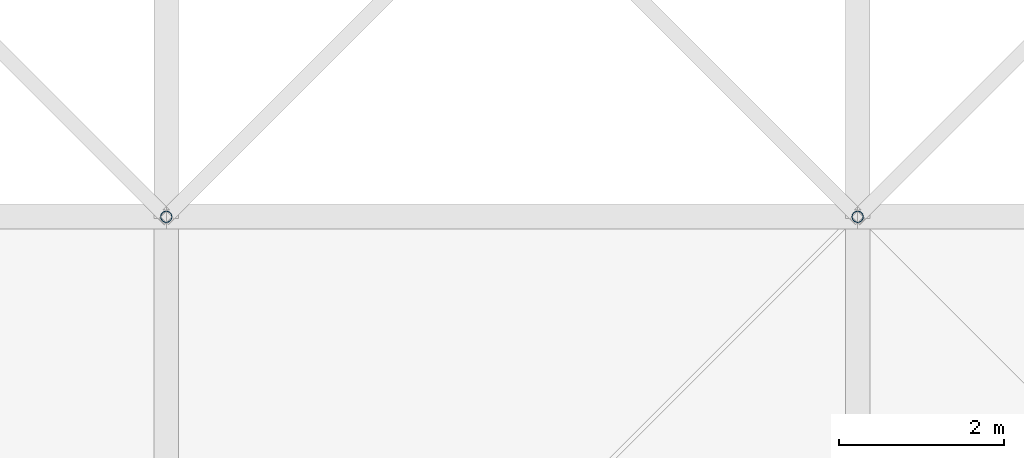
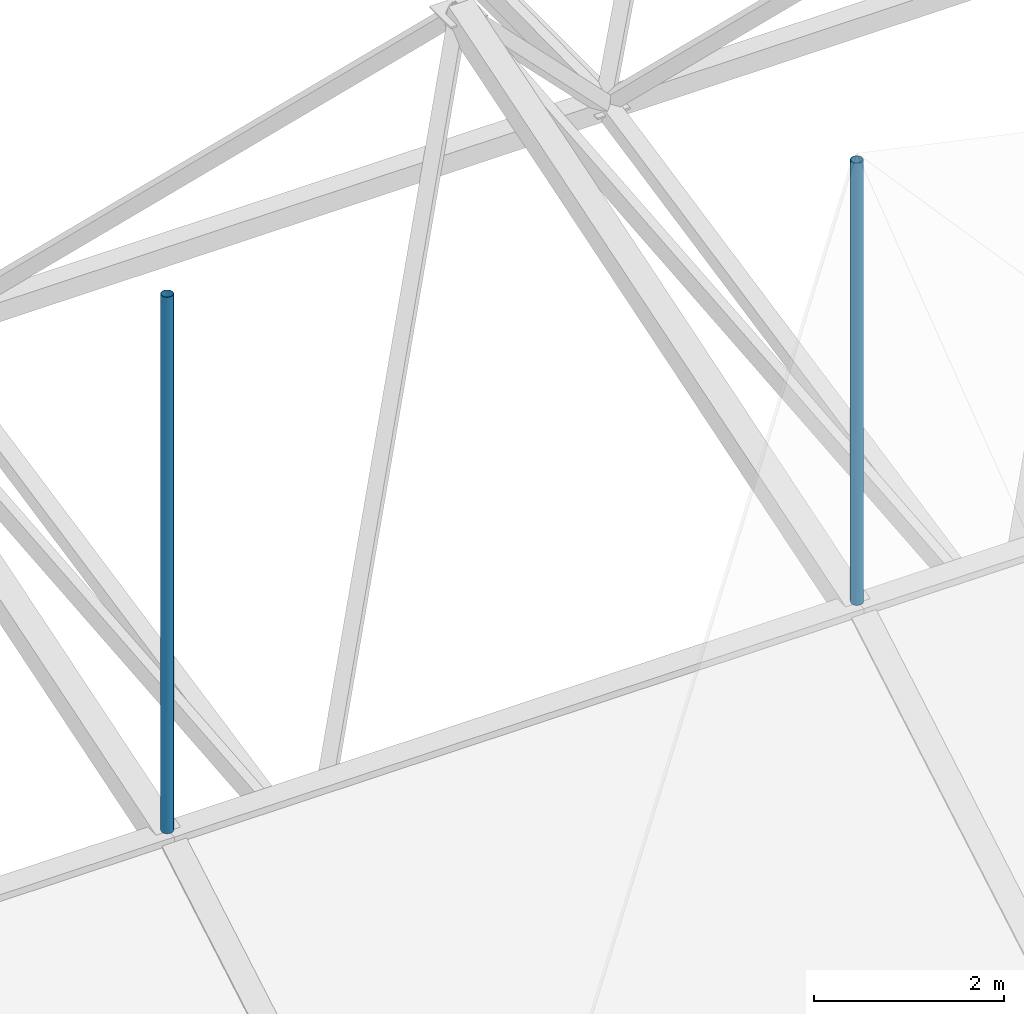
# One storey, part 86 of 111: 2 discrete accessories.
"""IFC4 building model written with IfcOpenShell, lengths in metres."""

from ifc_helpers import new_model, si_unit, direction, frame, origin, origin_2d, place, context, subcontext, project, spatial, hollow_circle, extrude, material, material_profile, profile_set, type_object, element, save


model = new_model("IFC4")

# Units and contexts
model_context = context("Model", 3, precision=1e-05, world=origin(), true_north=direction((0.0, 1.0)))
body_context = subcontext(model_context, "Body", "Model", "MODEL_VIEW")
ifc_project = project(units=[si_unit("LENGTHUNIT", "METRE"), si_unit("AREAUNIT", "SQUARE_METRE"), si_unit("VOLUMEUNIT", "CUBIC_METRE"), si_unit("PLANEANGLEUNIT", "RADIAN"), si_unit("MASSUNIT", "GRAM", prefix="KILO")], contexts=[model_context])

# Site, building, storey
site_placement = place(None, origin())
site = spatial("IfcSite", under=ifc_project, at=site_placement, CompositionType="ELEMENT")
building_placement = place(site_placement, origin())
building = spatial("IfcBuilding", under=site, at=building_placement, Name="Rain Tree Exposition and Congress Centre", CompositionType="ELEMENT")
storey_placement = place(building_placement, frame((0.0, 0.0, 19.5)))
storey = spatial("IfcBuildingStorey", under=building, at=storey_placement, Name="RF", CompositionType="ELEMENT", Elevation=19.5)

# Discrete accessories
ifc_material = material(Name="Steel S355J2H", Category="steel")
ifc_material_profile = material_profile(ifc_material, hollow_circle(Radius=0.06982421875, WallThickness=0.0048828125, at=origin_2d()), Name="CHS 140x5")
ifc_profile_set = profile_set([ifc_material_profile], Name="Steel S355J2H")
discrete_accessory_type = type_object("IfcDiscreteAccessoryType", Name="Roof skin post CHS 140x5", PredefinedType="BRACKET", material=ifc_profile_set)
discrete_accessory_1_placement = place(storey_placement, frame((210.0, 159.60009765625, 5.39404296875), z_axis=(0.0, 0.0, 1.0), x_axis=(1.0, 0.0, 0.0)))
element("IfcDiscreteAccessory", 1, at=discrete_accessory_1_placement, inside=storey, type_object=discrete_accessory_type, Name="Roof skin post B100", PredefinedType="BRACKET", context=body_context, shape_type="SweptSolid", body=[
    extrude(hollow_circle(Radius=0.06982421875, WallThickness=0.0048828125, at=origin_2d()), origin(), (0.0, 0.0, 1.0), 6.908203125),
])
discrete_accessory_2_placement = place(storey_placement, frame((218.39990234375, 159.60009765625, 5.39404296875), z_axis=(0.0, 0.0, 1.0), x_axis=(1.0, 0.0, 0.0)))
element("IfcDiscreteAccessory", 2, at=discrete_accessory_2_placement, inside=storey, type_object=discrete_accessory_type, Name="Roof skin post B101", PredefinedType="BRACKET", context=body_context, shape_type="SweptSolid", body=[
    extrude(hollow_circle(Radius=0.06982421875, WallThickness=0.0048828125, at=origin_2d()), origin(), (0.0, 0.0, 1.0), 5.694580078125),
])

save(model, "model.ifc")
